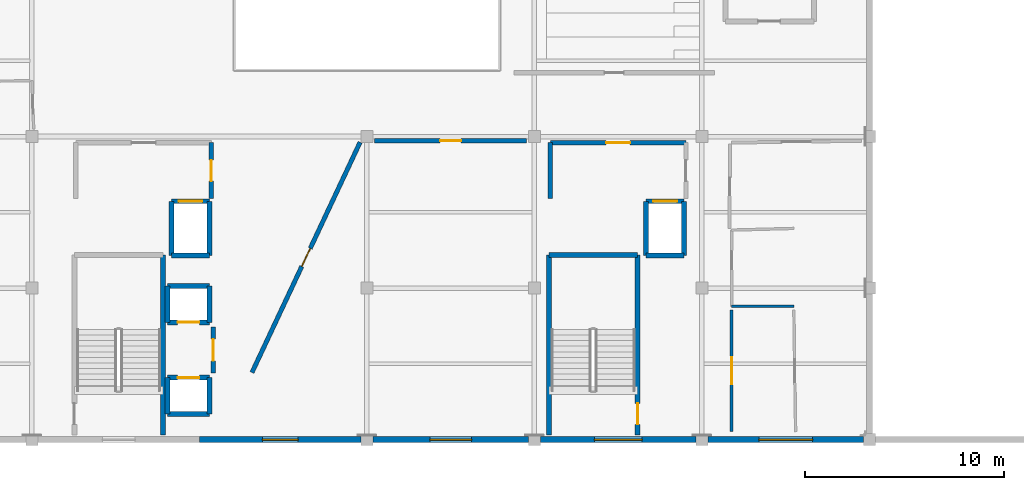
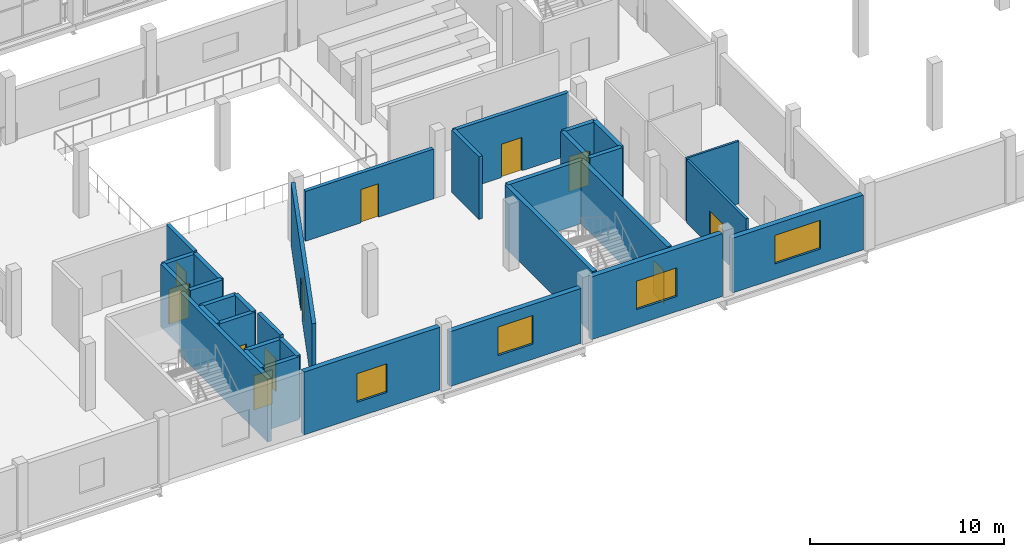
# One storey, part 128 of 151: 32 walls, 11 doors, 4 windows, 15 openings.
"""IFC4 building model written with IfcOpenShell, lengths in metres."""

from ifc_helpers import new_model, si_unit, direction, frame, frame_2d, origin, place, context, subcontext, project, spatial, rectangle, extrude, material, layer, layer_set, type_object, element, fill, save


model = new_model("IFC4")

# Units and contexts
model_context = context("Model", 3, precision=1e-05, world=origin(), true_north=direction((0.0, 1.0)))
body_context = subcontext(model_context, "Body", "Model", "MODEL_VIEW")
ifc_project = project(units=[si_unit("LENGTHUNIT", "METRE"), si_unit("AREAUNIT", "SQUARE_METRE"), si_unit("VOLUMEUNIT", "CUBIC_METRE"), si_unit("PLANEANGLEUNIT", "RADIAN"), si_unit("MASSUNIT", "GRAM", prefix="KILO")], contexts=[model_context])

# Site, building, storey
site_placement = place(None, origin())
site = spatial("IfcSite", under=ifc_project, at=site_placement, CompositionType="ELEMENT")
building_placement = place(site_placement, origin())
building = spatial("IfcBuilding", under=site, at=building_placement, Name="Zuvorla Pavilion Media Centre", CompositionType="ELEMENT")
storey_placement = place(building_placement, frame((0.0, 0.0, 13.800048828125)))
storey = spatial("IfcBuildingStorey", under=building, at=storey_placement, Name="L03", CompositionType="ELEMENT", Elevation=13.800048828125)

# Wall, opening, door
ifc_material_1 = material(Name="Acoustic masonry blockwork C32/40", Category="masonry")
ifc_layer_1 = layer(ifc_material_1, 0.219970703125)
ifc_layer_set_1 = layer_set([ifc_layer_1], Name="Acoustic masonry blockwork C32/40")
wall_type_1 = type_object("IfcWallType", Name="WL-CMP-220", PredefinedType="SOLIDWALL", material=ifc_layer_set_1)
wall_1_placement = place(storey_placement, frame((75.800048828125, 18.10009765625, 0.0), z_axis=(0.0, 0.0, 1.0), x_axis=(0.0, 1.0, 0.0)))
wall_1 = element("IfcWall", 1, at=wall_1_placement, inside=storey, type_object=wall_type_1, Name="L03 solid wall IW22 38", PredefinedType="SOLIDWALL", context=body_context, shape_type="SweptSolid", body=[
    extrude(rectangle(XDim=2.7998046875, YDim=0.219970703125, at=frame_2d((1.39990234375, 0.0))), origin(), (0.0, 0.0, 1.0), 3.949951171875),
])
opening_1_placement = place(wall_1_placement, frame((0.875, 0.0, 0.0)))
opening_1 = element("IfcOpeningElement", 2, at=opening_1_placement, cuts=wall_1, Name="Opening FD04", PredefinedType="OPENING", context=body_context, shape_type="SweptSolid", body=[
    extrude(rectangle(XDim=1.050048828125, YDim=2.10009765625, at=frame_2d((0.52490234375, 1.050048828125))), frame((0.0, 0.119873046875, 0.0), z_axis=(0.0, -1.0, 0.0), x_axis=(1.0, 0.0, 0.0)), (0.0, 0.0, 1.0), 0.239990234375),
])
ifc_material_2 = material(Name="Acoustic timber fire door leaf in steel frame", Category="steel")
door_type_1 = type_object("IfcDoorType", Name="DR-INT-FD04", OperationType="NOTDEFINED", PredefinedType="DOOR", material=ifc_material_2)
door_1_placement = place(opening_1_placement, origin())
door_1 = element("IfcDoor", 3, at=door_1_placement, inside=storey, type_object=door_type_1, Name="Firefighting lobby 1 access door FD04 19", OperationType="SINGLE_SWING_LEFT", OverallHeight=2.10009765625, OverallWidth=1.050048828125, PredefinedType="DOOR", context=body_context, shape_type="SweptSolid", body=[
    extrude(rectangle(XDim=1.050048828125, YDim=2.10009765625, at=frame_2d((0.52490234375, 1.050048828125))), frame((0.0, 0.02490234375, 0.0), z_axis=(0.0, -1.0, 0.0), x_axis=(1.0, 0.0, 0.0)), (0.0, 0.0, 1.0), 0.050048828125),
])
fill(opening_1, door_1)

wall_2_placement = place(storey_placement, frame((75.89990234375, 9.35009765625, 0.0), z_axis=(0.0, 0.0, 1.0), x_axis=(0.0, 1.0, 0.0)))
wall_2 = element("IfcWall", 4, at=wall_2_placement, inside=storey, type_object=wall_type_1, Name="L03 solid wall IW22 39", PredefinedType="SOLIDWALL", context=body_context, shape_type="SweptSolid", body=[
    extrude(rectangle(XDim=2.2998046875, YDim=0.219970703125, at=frame_2d((1.14990234375, 0.0))), origin(), (0.0, 0.0, 1.0), 3.949951171875),
])
opening_2_placement = place(wall_2_placement, frame((0.60009765625, 0.0, 0.0)))
opening_2 = element("IfcOpeningElement", 5, at=opening_2_placement, cuts=wall_2, Name="Opening FD05", PredefinedType="OPENING", context=body_context, shape_type="SweptSolid", body=[
    extrude(rectangle(XDim=1.10009765625, YDim=2.10009765625, at=frame_2d((0.550048828125, 1.050048828125))), frame((0.0, 0.119873046875, 0.0), z_axis=(0.0, -1.0, 0.0), x_axis=(1.0, 0.0, 0.0)), (0.0, 0.0, 1.0), 0.239990234375),
])
door_type_2 = type_object("IfcDoorType", Name="DR-INT-FD05", OperationType="NOTDEFINED", PredefinedType="DOOR", material=ifc_material_2)
door_2_placement = place(opening_2_placement, origin())
door_2 = element("IfcDoor", 6, at=door_2_placement, inside=storey, type_object=door_type_2, Name="Lift lobby 1 door FD05 20", OperationType="SINGLE_SWING_RIGHT", OverallHeight=2.10009765625, OverallWidth=1.10009765625, PredefinedType="DOOR", context=body_context, shape_type="SweptSolid", body=[
    extrude(rectangle(XDim=1.10009765625, YDim=2.10009765625, at=frame_2d((0.550048828125, 1.050048828125))), frame((0.0, 0.02490234375, 0.0), z_axis=(0.0, -1.0, 0.0), x_axis=(1.0, 0.0, 0.0)), (0.0, 0.0, 1.0), 0.050048828125),
])
fill(opening_2, door_2)

wall_3_placement = place(storey_placement, frame((92.800048828125, 20.89990234375, 0.0), z_axis=(0.0, 0.0, 1.0), x_axis=(1.0, 0.0, 0.0)))
wall_3 = element("IfcWall", 7, at=wall_3_placement, inside=storey, type_object=wall_type_1, Name="L03 solid wall IW22 184", PredefinedType="SOLIDWALL", context=body_context, shape_type="SweptSolid", body=[
    extrude(rectangle(XDim=6.800048828125, YDim=0.219970703125, at=frame_2d((3.39990234375, 0.0))), origin(), (0.0, 0.0, 1.0), 3.949951171875),
])
opening_3_placement = place(wall_3_placement, frame((2.800048828125, 0.0, 0.0)))
opening_3 = element("IfcOpeningElement", 8, at=opening_3_placement, cuts=wall_3, Name="Opening FD06", PredefinedType="OPENING", context=body_context, shape_type="SweptSolid", body=[
    extrude(rectangle(XDim=1.199951171875, YDim=2.10009765625, at=frame_2d((0.60009765625, 1.050048828125))), frame((0.0, 0.119873046875, 0.0), z_axis=(0.0, -1.0, 0.0), x_axis=(1.0, 0.0, 0.0)), (0.0, 0.0, 1.0), 0.239990234375),
])
door_type_3 = type_object("IfcDoorType", Name="DR-INT-FD06", OperationType="NOTDEFINED", PredefinedType="DOOR", material=ifc_material_2)
door_3_placement = place(opening_3_placement, origin())
door_3 = element("IfcDoor", 9, at=door_3_placement, inside=storey, type_object=door_type_3, Name="Firefighting lobby 2 door FD06 70", OperationType="SINGLE_SWING_LEFT", OverallHeight=2.10009765625, OverallWidth=1.199951171875, PredefinedType="DOOR", context=body_context, shape_type="SweptSolid", body=[
    extrude(rectangle(XDim=1.199951171875, YDim=2.10009765625, at=frame_2d((0.60009765625, 1.050048828125))), frame((0.0, 0.02490234375, 0.0), z_axis=(0.0, -1.0, 0.0), x_axis=(1.0, 0.0, 0.0)), (0.0, 0.0, 1.0), 0.050048828125),
])
fill(opening_3, door_3)

# Wall
wall_4_placement = place(storey_placement, frame((92.800048828125, 18.10009765625, 0.0), z_axis=(0.0, 0.0, 1.0), x_axis=(0.0, 1.0, 0.0)))
element("IfcWall", 10, at=wall_4_placement, inside=storey, type_object=wall_type_1, Name="L03 solid wall IW22 185", PredefinedType="SOLIDWALL", context=body_context, shape_type="SweptSolid", body=[
    extrude(rectangle(XDim=2.7998046875, YDim=0.219970703125, at=frame_2d((1.39990234375, 0.0))), origin(), (0.0, 0.0, 1.0), 3.949951171875),
])

# Wall, opening, door
wall_5_placement = place(storey_placement, frame((83.256103515625, 20.91748046875, 0.0), z_axis=(0.0, 0.0, 1.0), x_axis=(-0.425065903428, -0.905162404071, 0.0)))
wall_5 = element("IfcWall", 11, at=wall_5_placement, inside=storey, type_object=wall_type_1, Name="L03 solid wall IW22 525", PredefinedType="SOLIDWALL", context=body_context, shape_type="SweptSolid", body=[
    extrude(rectangle(XDim=12.7548828125, YDim=0.219970703125, at=frame_2d((6.37744140625, 0.0))), origin(), (0.0, 0.0, 1.0), 3.949951171875),
])
opening_4_placement = place(wall_5_placement, frame((5.87744140625, 0.0, 0.0)))
opening_4 = element("IfcOpeningElement", 12, at=opening_4_placement, cuts=wall_5, Name="Opening FD03", PredefinedType="OPENING", context=body_context, shape_type="SweptSolid", body=[
    extrude(rectangle(XDim=1.0, YDim=2.10009765625, at=frame_2d((0.5, 1.050048828125))), frame((0.0, 0.119873046875, 0.0), z_axis=(0.0, -1.0, 0.0), x_axis=(1.0, 0.0, 0.0)), (0.0, 0.0, 1.0), 0.239990234375),
])
door_type_4 = type_object("IfcDoorType", Name="DR-INT-FD03", OperationType="NOTDEFINED", PredefinedType="DOOR", material=ifc_material_2)
door_4_placement = place(opening_4_placement, origin())
door_4 = element("IfcDoor", 13, at=door_4_placement, inside=storey, type_object=door_type_4, Name="Interior door FD03 225", OperationType="SINGLE_SWING_RIGHT", OverallHeight=2.10009765625, OverallWidth=1.0, PredefinedType="DOOR", context=body_context, shape_type="SweptSolid", body=[
    extrude(rectangle(XDim=1.0, YDim=2.10009765625, at=frame_2d((0.5, 1.050048828125))), frame((0.0, 0.02490234375, 0.0), z_axis=(0.0, -1.0, 0.0), x_axis=(1.0, 0.0, 0.0)), (0.0, 0.0, 1.0), 0.050048828125),
])
fill(opening_4, door_4)

wall_6_placement = place(storey_placement, frame((91.610107421875, 20.989990234375, 0.0), z_axis=(0.0, 0.0, 1.0), x_axis=(-1.0, 0.0, 0.0)))
wall_6 = element("IfcWall", 14, at=wall_6_placement, inside=storey, type_object=wall_type_1, Name="L03 solid wall IW22 526", PredefinedType="SOLIDWALL", context=body_context, shape_type="SweptSolid", body=[
    extrude(rectangle(XDim=7.6201171875, YDim=0.219970703125, at=frame_2d((3.81005859375, 0.0))), origin(), (0.0, 0.0, 1.0), 3.134765625),
])
opening_5_placement = place(wall_6_placement, frame((3.284912109375, 0.0, 0.0)))
opening_5 = element("IfcOpeningElement", 15, at=opening_5_placement, cuts=wall_6, Name="Opening FD04", PredefinedType="OPENING", context=body_context, shape_type="SweptSolid", body=[
    extrude(rectangle(XDim=1.050048828125, YDim=2.10009765625, at=frame_2d((0.52490234375, 1.050048828125))), frame((0.0, 0.119873046875, 0.0), z_axis=(0.0, -1.0, 0.0), x_axis=(1.0, 0.0, 0.0)), (0.0, 0.0, 1.0), 0.239990234375),
])
door_5_placement = place(opening_5_placement, origin())
door_5 = element("IfcDoor", 16, at=door_5_placement, inside=storey, type_object=door_type_1, Name="Interior door FD04 226", OperationType="SINGLE_SWING_LEFT", OverallHeight=2.10009765625, OverallWidth=1.050048828125, PredefinedType="DOOR", context=body_context, shape_type="SweptSolid", body=[
    extrude(rectangle(XDim=1.050048828125, YDim=2.10009765625, at=frame_2d((0.52490234375, 1.050048828125))), frame((0.0, 0.02490234375, 0.0), z_axis=(0.0, -1.0, 0.0), x_axis=(1.0, 0.0, 0.0)), (0.0, 0.0, 1.0), 0.050048828125),
])
fill(opening_5, door_5)

# Walls
ifc_material_3 = material(Name="Concrete C40/50", Category="concrete")
ifc_layer_2 = layer(ifc_material_3, 0.25)
ifc_layer_set_2 = layer_set([ifc_layer_2], Name="Concrete C40/50")
wall_type_2 = type_object("IfcWallType", Name="WL-COR-250", PredefinedType="SHEAR", material=ifc_layer_set_2)
wall_7_placement = place(storey_placement, frame((73.375, 6.22509765625, 0.0), z_axis=(0.0, 0.0, 1.0), x_axis=(0.0, 1.0, 0.0)))
element("IfcWall", 17, at=wall_7_placement, inside=storey, type_object=wall_type_2, Name="L03 shear wall CW25 34", PredefinedType="SHEAR", context=body_context, shape_type="SweptSolid", body=[
    extrude(rectangle(XDim=9.0498046875, YDim=0.25, at=frame_2d((4.52490234375, 0.0))), origin(), (0.0, 0.0, 1.0), 3.9599609375),
])
wall_8_placement = place(storey_placement, frame((73.590087890625, 7.2900390625, 0.0), z_axis=(0.0, 0.0, 1.0), x_axis=(1.0, 0.0, 0.0)))
element("IfcWall", 18, at=wall_8_placement, inside=storey, type_object=wall_type_2, Name="L03 shear wall CW25 77", PredefinedType="SHEAR", context=body_context, shape_type="SweptSolid", body=[
    extrude(rectangle(XDim=2.119873046875, YDim=0.25, at=frame_2d((1.06005859375, 0.0))), origin(), (0.0, 0.0, 1.0), 3.9599609375),
])

# Wall, opening, door
wall_9_placement = place(storey_placement, frame((73.590087890625, 9.110107421875, 0.0), z_axis=(0.0, 0.0, 1.0), x_axis=(1.0, 0.0, 0.0)))
wall_9 = element("IfcWall", 19, at=wall_9_placement, inside=storey, type_object=wall_type_2, Name="L03 shear wall CW25 78", PredefinedType="SHEAR", context=body_context, shape_type="SweptSolid", body=[
    extrude(rectangle(XDim=2.119873046875, YDim=0.25, at=frame_2d((1.06005859375, 0.0))), origin(), (0.0, 0.0, 1.0), 3.9599609375),
])
opening_6_placement = place(wall_9_placement, frame((0.510009765625, 0.0, 0.0)))
opening_6 = element("IfcOpeningElement", 20, at=opening_6_placement, cuts=wall_9, Name="Opening LD01", PredefinedType="OPENING", context=body_context, shape_type="SweptSolid", body=[
    extrude(rectangle(XDim=1.10009765625, YDim=2.14990234375, at=frame_2d((0.550048828125, 1.074951171875))), frame((0.0, 0.135009765625, 0.0), z_axis=(0.0, -1.0, 0.0), x_axis=(1.0, 0.0, 0.0)), (0.0, 0.0, 1.0), 0.27001953125),
])
ifc_material_4 = material(Name="Brushed stainless steel sliding lift landing door", Category="steel")
door_type_5 = type_object("IfcDoorType", Name="DR-LFT-LD01", OperationType="SLIDING_TO_LEFT", PredefinedType="DOOR", material=ifc_material_4)
door_6_placement = place(opening_6_placement, origin())
door_6 = element("IfcDoor", 21, at=door_6_placement, inside=storey, type_object=door_type_5, Name="Lift LF-01 landing door LD01 37", OperationType="SLIDING_TO_LEFT", OverallHeight=2.14990234375, OverallWidth=1.10009765625, PredefinedType="DOOR", context=body_context, shape_type="SweptSolid", body=[
    extrude(rectangle(XDim=1.10009765625, YDim=2.14990234375, at=frame_2d((0.550048828125, 1.074951171875))), frame((0.0, 0.02490234375, 0.0), z_axis=(0.0, -1.0, 0.0), x_axis=(1.0, 0.0, 0.0)), (0.0, 0.0, 1.0), 0.050048828125),
])
fill(opening_6, door_6)

# Walls
for number, where, z_axis, x_axis, name in (
    (22, (73.590087890625, 7.2900390625, 0.0), (0.0, 0.0, 1.0), (0.0, 1.0, 0.0), "L03 shear wall CW25 79"),
    (23, (75.7099609375, 7.2900390625, 0.0), (0.0, 0.0, 1.0), (0.0, 1.0, 0.0), "L03 shear wall CW25 80"),
):
    element("IfcWall", number, at=place(storey_placement, frame(where, z_axis=z_axis, x_axis=x_axis)), inside=storey, type_object=wall_type_2, Name=name, PredefinedType="SHEAR", context=body_context, shape_type="SweptSolid", body=[
        extrude(rectangle(XDim=1.820068359375, YDim=0.25, at=frame_2d((0.91015625, 0.0))), origin(), (0.0, 0.0, 1.0), 3.9599609375),
    ])

# Wall, opening, door
wall_10_placement = place(storey_placement, frame((73.590087890625, 11.889892578125, 0.0), z_axis=(0.0, 0.0, 1.0), x_axis=(1.0, 0.0, 0.0)))
wall_10 = element("IfcWall", 24, at=wall_10_placement, inside=storey, type_object=wall_type_2, Name="L03 shear wall CW25 109", PredefinedType="SHEAR", context=body_context, shape_type="SweptSolid", body=[
    extrude(rectangle(XDim=2.119873046875, YDim=0.25, at=frame_2d((1.06005859375, 0.0))), origin(), (0.0, 0.0, 1.0), 3.9599609375),
])
opening_7_placement = place(wall_10_placement, frame((0.510009765625, 0.0, 0.0)))
opening_7 = element("IfcOpeningElement", 25, at=opening_7_placement, cuts=wall_10, Name="Opening LD01", PredefinedType="OPENING", context=body_context, shape_type="SweptSolid", body=[
    extrude(rectangle(XDim=1.10009765625, YDim=2.14990234375, at=frame_2d((0.550048828125, 1.074951171875))), frame((0.0, 0.135009765625, 0.0), z_axis=(0.0, -1.0, 0.0), x_axis=(1.0, 0.0, 0.0)), (0.0, 0.0, 1.0), 0.27001953125),
])
door_7_placement = place(opening_7_placement, origin())
door_7 = element("IfcDoor", 26, at=door_7_placement, inside=storey, type_object=door_type_5, Name="Lift LF-02 landing door LD01 45", OperationType="SLIDING_TO_LEFT", OverallHeight=2.14990234375, OverallWidth=1.10009765625, PredefinedType="DOOR", context=body_context, shape_type="SweptSolid", body=[
    extrude(rectangle(XDim=1.10009765625, YDim=2.14990234375, at=frame_2d((0.550048828125, 1.074951171875))), frame((0.0, 0.02490234375, 0.0), z_axis=(0.0, -1.0, 0.0), x_axis=(1.0, 0.0, 0.0)), (0.0, 0.0, 1.0), 0.050048828125),
])
fill(opening_7, door_7)

# Walls
wall_11_placement = place(storey_placement, frame((73.590087890625, 13.7099609375, 0.0), z_axis=(0.0, 0.0, 1.0), x_axis=(1.0, 0.0, 0.0)))
element("IfcWall", 27, at=wall_11_placement, inside=storey, type_object=wall_type_2, Name="L03 shear wall CW25 110", PredefinedType="SHEAR", context=body_context, shape_type="SweptSolid", body=[
    extrude(rectangle(XDim=2.119873046875, YDim=0.25, at=frame_2d((1.06005859375, 0.0))), origin(), (0.0, 0.0, 1.0), 3.9599609375),
])
for number, where, z_axis, x_axis, name in (
    (28, (73.590087890625, 11.889892578125, 0.0), (0.0, 0.0, 1.0), (0.0, 1.0, 0.0), "L03 shear wall CW25 111"),
    (29, (75.7099609375, 11.889892578125, 0.0), (0.0, 0.0, 1.0), (0.0, 1.0, 0.0), "L03 shear wall CW25 112"),
):
    element("IfcWall", number, at=place(storey_placement, frame(where, z_axis=z_axis, x_axis=x_axis)), inside=storey, type_object=wall_type_2, Name=name, PredefinedType="SHEAR", context=body_context, shape_type="SweptSolid", body=[
        extrude(rectangle(XDim=1.820068359375, YDim=0.25, at=frame_2d((0.91015625, 0.0))), origin(), (0.0, 0.0, 1.0), 3.9599609375),
    ])
wall_12_placement = place(storey_placement, frame((73.7900390625, 15.239990234375, 0.0), z_axis=(0.0, 0.0, 1.0), x_axis=(1.0, 0.0, 0.0)))
element("IfcWall", 30, at=wall_12_placement, inside=storey, type_object=wall_type_2, Name="L03 shear wall CW25 141", PredefinedType="SHEAR", context=body_context, shape_type="SweptSolid", body=[
    extrude(rectangle(XDim=1.919921875, YDim=0.25, at=frame_2d((0.9599609375, 0.0))), origin(), (0.0, 0.0, 1.0), 3.9599609375),
])

# Wall, opening, door
wall_13_placement = place(storey_placement, frame((73.7900390625, 17.9599609375, 0.0), z_axis=(0.0, 0.0, 1.0), x_axis=(1.0, 0.0, 0.0)))
wall_13 = element("IfcWall", 31, at=wall_13_placement, inside=storey, type_object=wall_type_2, Name="L03 shear wall CW25 142", PredefinedType="SHEAR", context=body_context, shape_type="SweptSolid", body=[
    extrude(rectangle(XDim=1.919921875, YDim=0.25, at=frame_2d((0.9599609375, 0.0))), origin(), (0.0, 0.0, 1.0), 3.9599609375),
])
opening_8_placement = place(wall_13_placement, frame((0.360107421875, 0.0, 0.0)))
opening_8 = element("IfcOpeningElement", 32, at=opening_8_placement, cuts=wall_13, Name="Opening LD02", PredefinedType="OPENING", context=body_context, shape_type="SweptSolid", body=[
    extrude(rectangle(XDim=1.199951171875, YDim=2.199951171875, at=frame_2d((0.60009765625, 1.10009765625))), frame((0.0, 0.135009765625, 0.0), z_axis=(0.0, -1.0, 0.0), x_axis=(1.0, 0.0, 0.0)), (0.0, 0.0, 1.0), 0.27001953125),
])
door_type_6 = type_object("IfcDoorType", Name="DR-LFT-LD02", OperationType="SLIDING_TO_LEFT", PredefinedType="DOOR", material=ifc_material_4)
door_8_placement = place(opening_8_placement, origin())
door_8 = element("IfcDoor", 33, at=door_8_placement, inside=storey, type_object=door_type_6, Name="Lift LF-03 landing door LD02 53", OperationType="SLIDING_TO_LEFT", OverallHeight=2.199951171875, OverallWidth=1.199951171875, PredefinedType="DOOR", context=body_context, shape_type="SweptSolid", body=[
    extrude(rectangle(XDim=1.199951171875, YDim=2.199951171875, at=frame_2d((0.60009765625, 1.10009765625))), frame((0.0, 0.02490234375, 0.0), z_axis=(0.0, -1.0, 0.0), x_axis=(1.0, 0.0, 0.0)), (0.0, 0.0, 1.0), 0.050048828125),
])
fill(opening_8, door_8)

# Walls
for number, where, z_axis, x_axis, name in (
    (34, (73.7900390625, 15.239990234375, 0.0), (0.0, 0.0, 1.0), (0.0, 1.0, 0.0), "L03 shear wall CW25 143"),
    (35, (75.7099609375, 15.239990234375, 0.0), (0.0, 0.0, 1.0), (0.0, 1.0, 0.0), "L03 shear wall CW25 144"),
):
    element("IfcWall", number, at=place(storey_placement, frame(where, z_axis=z_axis, x_axis=x_axis)), inside=storey, type_object=wall_type_2, Name=name, PredefinedType="SHEAR", context=body_context, shape_type="SweptSolid", body=[
        extrude(rectangle(XDim=2.719970703125, YDim=0.25, at=frame_2d((1.35986328125, 0.0))), origin(), (0.0, 0.0, 1.0), 3.9599609375),
    ])
wall_14_placement = place(storey_placement, frame((92.72509765625, 6.22509765625, 0.0), z_axis=(0.0, 0.0, 1.0), x_axis=(0.0, 1.0, 0.0)))
element("IfcWall", 36, at=wall_14_placement, inside=storey, type_object=wall_type_2, Name="L03 shear wall CW25 181", PredefinedType="SHEAR", context=body_context, shape_type="SweptSolid", body=[
    extrude(rectangle(XDim=9.0498046875, YDim=0.25, at=frame_2d((4.52490234375, 0.0))), origin(), (0.0, 0.0, 1.0), 3.9599609375),
])

# Wall, opening, door
wall_15_placement = place(storey_placement, frame((97.175048828125, 6.22509765625, 0.0), z_axis=(0.0, 0.0, 1.0), x_axis=(0.0, 1.0, 0.0)))
wall_15 = element("IfcWall", 37, at=wall_15_placement, inside=storey, type_object=wall_type_2, Name="L03 shear wall CW25 182", PredefinedType="SHEAR", context=body_context, shape_type="SweptSolid", body=[
    extrude(rectangle(XDim=9.0498046875, YDim=0.25, at=frame_2d((4.52490234375, 0.0))), origin(), (0.0, 0.0, 1.0), 3.9599609375),
])
opening_9_placement = place(wall_15_placement, frame((0.550048828125, 0.0, 0.0)))
opening_9 = element("IfcOpeningElement", 38, at=opening_9_placement, cuts=wall_15, Name="Opening FD04", PredefinedType="OPENING", context=body_context, shape_type="SweptSolid", body=[
    extrude(rectangle(XDim=1.050048828125, YDim=2.10009765625, at=frame_2d((0.52490234375, 1.050048828125))), frame((0.0, 0.135009765625, 0.0), z_axis=(0.0, -1.0, 0.0), x_axis=(1.0, 0.0, 0.0)), (0.0, 0.0, 1.0), 0.27001953125),
])
door_9_placement = place(opening_9_placement, frame((1.050048828125, 0.0, 0.0), z_axis=(0.0, 0.0, 1.0), x_axis=(-1.0, 0.0, 0.0)))
door_9 = element("IfcDoor", 39, at=door_9_placement, inside=storey, type_object=door_type_1, Name="Stair ST-02 fire door FD04 69", OperationType="SINGLE_SWING_LEFT", OverallHeight=2.10009765625, OverallWidth=1.050048828125, PredefinedType="DOOR", context=body_context, shape_type="SweptSolid", body=[
    extrude(rectangle(XDim=1.050048828125, YDim=2.10009765625, at=frame_2d((0.52490234375, 1.050048828125))), frame((0.0, 0.02490234375, 0.0), z_axis=(0.0, -1.0, 0.0), x_axis=(1.0, 0.0, 0.0)), (0.0, 0.0, 1.0), 0.050048828125),
])
fill(opening_9, door_9)

# Walls
wall_16_placement = place(storey_placement, frame((92.72509765625, 15.27490234375, 0.0), z_axis=(0.0, 0.0, 1.0), x_axis=(1.0, 0.0, 0.0)))
element("IfcWall", 40, at=wall_16_placement, inside=storey, type_object=wall_type_2, Name="L03 shear wall CW25 183", PredefinedType="SHEAR", context=body_context, shape_type="SweptSolid", body=[
    extrude(rectangle(XDim=4.449951171875, YDim=0.25, at=frame_2d((2.22509765625, 0.0))), origin(), (0.0, 0.0, 1.0), 3.9599609375),
])
wall_17_placement = place(storey_placement, frame((97.590087890625, 15.239990234375, 0.0), z_axis=(0.0, 0.0, 1.0), x_axis=(1.0, 0.0, 0.0)))
element("IfcWall", 41, at=wall_17_placement, inside=storey, type_object=wall_type_2, Name="L03 shear wall CW25 221", PredefinedType="SHEAR", context=body_context, shape_type="SweptSolid", body=[
    extrude(rectangle(XDim=1.919921875, YDim=0.25, at=frame_2d((0.9599609375, 0.0))), origin(), (0.0, 0.0, 1.0), 3.9599609375),
])

# Wall, opening, door
wall_18_placement = place(storey_placement, frame((97.590087890625, 17.9599609375, 0.0), z_axis=(0.0, 0.0, 1.0), x_axis=(1.0, 0.0, 0.0)))
wall_18 = element("IfcWall", 42, at=wall_18_placement, inside=storey, type_object=wall_type_2, Name="L03 shear wall CW25 222", PredefinedType="SHEAR", context=body_context, shape_type="SweptSolid", body=[
    extrude(rectangle(XDim=1.919921875, YDim=0.25, at=frame_2d((0.9599609375, 0.0))), origin(), (0.0, 0.0, 1.0), 3.9599609375),
])
opening_10_placement = place(wall_18_placement, frame((0.360107421875, 0.0, 0.0)))
opening_10 = element("IfcOpeningElement", 43, at=opening_10_placement, cuts=wall_18, Name="Opening LD02", PredefinedType="OPENING", context=body_context, shape_type="SweptSolid", body=[
    extrude(rectangle(XDim=1.199951171875, YDim=2.199951171875, at=frame_2d((0.60009765625, 1.10009765625))), frame((0.0, 0.135009765625, 0.0), z_axis=(0.0, -1.0, 0.0), x_axis=(1.0, 0.0, 0.0)), (0.0, 0.0, 1.0), 0.27001953125),
])
door_10_placement = place(opening_10_placement, origin())
door_10 = element("IfcDoor", 44, at=door_10_placement, inside=storey, type_object=door_type_6, Name="Lift LF-04 landing door LD02 85", OperationType="SLIDING_TO_LEFT", OverallHeight=2.199951171875, OverallWidth=1.199951171875, PredefinedType="DOOR", context=body_context, shape_type="SweptSolid", body=[
    extrude(rectangle(XDim=1.199951171875, YDim=2.199951171875, at=frame_2d((0.60009765625, 1.10009765625))), frame((0.0, 0.02490234375, 0.0), z_axis=(0.0, -1.0, 0.0), x_axis=(1.0, 0.0, 0.0)), (0.0, 0.0, 1.0), 0.050048828125),
])
fill(opening_10, door_10)

# Walls
for number, where, z_axis, x_axis, name in (
    (45, (97.590087890625, 15.239990234375, 0.0), (0.0, 0.0, 1.0), (0.0, 1.0, 0.0), "L03 shear wall CW25 223"),
    (46, (99.510009765625, 15.239990234375, 0.0), (0.0, 0.0, 1.0), (0.0, 1.0, 0.0), "L03 shear wall CW25 224"),
):
    element("IfcWall", number, at=place(storey_placement, frame(where, z_axis=z_axis, x_axis=x_axis)), inside=storey, type_object=wall_type_2, Name=name, PredefinedType="SHEAR", context=body_context, shape_type="SweptSolid", body=[
        extrude(rectangle(XDim=2.719970703125, YDim=0.25, at=frame_2d((1.35986328125, 0.0))), origin(), (0.0, 0.0, 1.0), 3.9599609375),
    ])

# Wall, opening, window
ifc_material_5 = material(Name="White rendered concrete C32/40", Category="concrete")
ifc_layer_3 = layer(ifc_material_5, 0.300048828125)
ifc_layer_set_3 = layer_set([ifc_layer_3], Name="White rendered concrete C32/40")
wall_type_3 = type_object("IfcWallType", Name="WL-EXT-300", PredefinedType="SOLIDWALL", material=ifc_layer_set_3)
wall_19_placement = place(storey_placement, frame((75.199951171875, 6.0, 0.0), z_axis=(0.0, 0.0, 1.0), x_axis=(1.0, 0.0, 0.0)))
wall_19 = element("IfcWall", 47, at=wall_19_placement, inside=storey, type_object=wall_type_3, Name="L03 exterior solid wall EW03 246", PredefinedType="SOLIDWALL", context=body_context, shape_type="SweptSolid", body=[
    extrude(rectangle(XDim=8.10009765625, YDim=0.300048828125, at=frame_2d((4.050048828125, 0.0))), origin(), (0.0, 0.0, 1.0), 3.949951171875),
])
opening_11_placement = place(wall_19_placement, frame((3.14990234375, 0.0, 0.949951171875)))
opening_11 = element("IfcOpeningElement", 48, at=opening_11_placement, cuts=wall_19, Name="Opening WN12", PredefinedType="OPENING", context=body_context, shape_type="SweptSolid", body=[
    extrude(rectangle(XDim=1.800048828125, YDim=1.800048828125, at=frame_2d((0.89990234375, 0.89990234375))), frame((0.0, 0.159912109375, 0.0), z_axis=(0.0, -1.0, 0.0), x_axis=(1.0, 0.0, 0.0)), (0.0, 0.0, 1.0), 0.320068359375),
])
ifc_material_6 = material(Name="Anodised aluminium frame with solar double glazing", Category="aluminium")
window_type_1 = type_object("IfcWindowType", Name="WIN-WN12", PartitioningType="DOUBLE_PANEL_VERTICAL", PredefinedType="WINDOW", material=ifc_material_6)
window_1_placement = place(opening_11_placement, origin())
window_1 = element("IfcWindow", 49, at=window_1_placement, inside=storey, type_object=window_type_1, Name="L03 window WN12 96", OverallHeight=1.800048828125, OverallWidth=1.800048828125, PartitioningType="DOUBLE_PANEL_VERTICAL", PredefinedType="WINDOW", context=body_context, shape_type="SweptSolid", body=[
    extrude(rectangle(XDim=1.800048828125, YDim=1.800048828125, at=frame_2d((0.89990234375, 0.89990234375))), frame((0.0, 0.030029296875, 0.0), z_axis=(0.0, -1.0, 0.0), x_axis=(1.0, 0.0, 0.0)), (0.0, 0.0, 1.0), 0.06005859375),
])
fill(opening_11, window_1)

wall_20_placement = place(storey_placement, frame((83.89990234375, 6.0, 0.0), z_axis=(0.0, 0.0, 1.0), x_axis=(1.0, 0.0, 0.0)))
wall_20 = element("IfcWall", 50, at=wall_20_placement, inside=storey, type_object=wall_type_3, Name="L03 exterior solid wall EW03 247", PredefinedType="SOLIDWALL", context=body_context, shape_type="SweptSolid", body=[
    extrude(rectangle(XDim=7.800048828125, YDim=0.300048828125, at=frame_2d((3.89990234375, 0.0))), origin(), (0.0, 0.0, 1.0), 3.447021484375),
])
opening_12_placement = place(wall_20_placement, frame((2.85009765625, 0.0, 0.949951171875)))
opening_12 = element("IfcOpeningElement", 51, at=opening_12_placement, cuts=wall_20, Name="Opening WN13", PredefinedType="OPENING", context=body_context, shape_type="SweptSolid", body=[
    extrude(rectangle(XDim=2.10009765625, YDim=1.800048828125, at=frame_2d((1.050048828125, 0.89990234375))), frame((0.0, 0.159912109375, 0.0), z_axis=(0.0, -1.0, 0.0), x_axis=(1.0, 0.0, 0.0)), (0.0, 0.0, 1.0), 0.320068359375),
])
window_type_2 = type_object("IfcWindowType", Name="WIN-WN13", PartitioningType="DOUBLE_PANEL_VERTICAL", PredefinedType="WINDOW", material=ifc_material_6)
window_2_placement = place(opening_12_placement, origin())
window_2 = element("IfcWindow", 52, at=window_2_placement, inside=storey, type_object=window_type_2, Name="L03 window WN13 97", OverallHeight=1.800048828125, OverallWidth=2.10009765625, PartitioningType="DOUBLE_PANEL_VERTICAL", PredefinedType="WINDOW", context=body_context, shape_type="SweptSolid", body=[
    extrude(rectangle(XDim=2.10009765625, YDim=1.800048828125, at=frame_2d((1.050048828125, 0.89990234375))), frame((0.0, 0.030029296875, 0.0), z_axis=(0.0, -1.0, 0.0), x_axis=(1.0, 0.0, 0.0)), (0.0, 0.0, 1.0), 0.06005859375),
])
fill(opening_12, window_2)

wall_21_placement = place(storey_placement, frame((92.300048828125, 6.0, 0.0), z_axis=(0.0, 0.0, 1.0), x_axis=(1.0, 0.0, 0.0)))
wall_21 = element("IfcWall", 53, at=wall_21_placement, inside=storey, type_object=wall_type_3, Name="L03 exterior solid wall EW03 248", PredefinedType="SOLIDWALL", context=body_context, shape_type="SweptSolid", body=[
    extrude(rectangle(XDim=7.800048828125, YDim=0.300048828125, at=frame_2d((3.89990234375, 0.0))), origin(), (0.0, 0.0, 1.0), 3.949951171875),
])
opening_13_placement = place(wall_21_placement, frame((2.699951171875, 0.0, 0.949951171875)))
opening_13 = element("IfcOpeningElement", 54, at=opening_13_placement, cuts=wall_21, Name="Opening WN14", PredefinedType="OPENING", context=body_context, shape_type="SweptSolid", body=[
    extrude(rectangle(XDim=2.39990234375, YDim=1.800048828125, at=frame_2d((1.199951171875, 0.89990234375))), frame((0.0, 0.159912109375, 0.0), z_axis=(0.0, -1.0, 0.0), x_axis=(1.0, 0.0, 0.0)), (0.0, 0.0, 1.0), 0.320068359375),
])
window_type_3 = type_object("IfcWindowType", Name="WIN-WN14", PartitioningType="DOUBLE_PANEL_VERTICAL", PredefinedType="WINDOW", material=ifc_material_6)
window_3_placement = place(opening_13_placement, origin())
window_3 = element("IfcWindow", 55, at=window_3_placement, inside=storey, type_object=window_type_3, Name="L03 window WN14 98", OverallHeight=1.800048828125, OverallWidth=2.39990234375, PartitioningType="DOUBLE_PANEL_VERTICAL", PredefinedType="WINDOW", context=body_context, shape_type="SweptSolid", body=[
    extrude(rectangle(XDim=2.39990234375, YDim=1.800048828125, at=frame_2d((1.199951171875, 0.89990234375))), frame((0.0, 0.030029296875, 0.0), z_axis=(0.0, -1.0, 0.0), x_axis=(1.0, 0.0, 0.0)), (0.0, 0.0, 1.0), 0.06005859375),
])
fill(opening_13, window_3)

wall_22_placement = place(storey_placement, frame((100.699951171875, 6.0, 0.0), z_axis=(0.0, 0.0, 1.0), x_axis=(1.0, 0.0, 0.0)))
wall_22 = element("IfcWall", 56, at=wall_22_placement, inside=storey, type_object=wall_type_3, Name="L03 exterior solid wall EW03 249", PredefinedType="SOLIDWALL", context=body_context, shape_type="SweptSolid", body=[
    extrude(rectangle(XDim=7.800048828125, YDim=0.300048828125, at=frame_2d((3.89990234375, 0.0))), origin(), (0.0, 0.0, 1.0), 3.447021484375),
])
opening_14_placement = place(wall_22_placement, frame((2.550048828125, 0.0, 0.949951171875)))
opening_14 = element("IfcOpeningElement", 57, at=opening_14_placement, cuts=wall_22, Name="Opening WN15", PredefinedType="OPENING", context=body_context, shape_type="SweptSolid", body=[
    extrude(rectangle(XDim=2.699951171875, YDim=1.800048828125, at=frame_2d((1.35009765625, 0.89990234375))), frame((0.0, 0.159912109375, 0.0), z_axis=(0.0, -1.0, 0.0), x_axis=(1.0, 0.0, 0.0)), (0.0, 0.0, 1.0), 0.320068359375),
])
window_type_4 = type_object("IfcWindowType", Name="WIN-WN15", PartitioningType="DOUBLE_PANEL_VERTICAL", PredefinedType="WINDOW", material=ifc_material_6)
window_4_placement = place(opening_14_placement, origin())
window_4 = element("IfcWindow", 58, at=window_4_placement, inside=storey, type_object=window_type_4, Name="L03 window WN15 99", OverallHeight=1.800048828125, OverallWidth=2.699951171875, PartitioningType="DOUBLE_PANEL_VERTICAL", PredefinedType="WINDOW", context=body_context, shape_type="SweptSolid", body=[
    extrude(rectangle(XDim=2.699951171875, YDim=1.800048828125, at=frame_2d((1.35009765625, 0.89990234375))), frame((0.0, 0.030029296875, 0.0), z_axis=(0.0, -1.0, 0.0), x_axis=(1.0, 0.0, 0.0)), (0.0, 0.0, 1.0), 0.06005859375),
])
fill(opening_14, window_4)

# Wall
ifc_material_7 = material(Name="Lightweight gypsum partition")
ifc_layer_4 = layer(ifc_material_7, 0.1201171875)
ifc_layer_set_4 = layer_set([ifc_layer_4], Name="Lightweight gypsum partition")
wall_type_4 = type_object("IfcWallType", Name="WL-PRT-120", PredefinedType="PARTITIONING", material=ifc_layer_set_4)
wall_23_placement = place(storey_placement, frame((105.02001953125, 12.68994140625, 0.0), z_axis=(0.0, 0.0, 1.0), x_axis=(-1.0, 0.0, 0.0)))
element("IfcWall", 59, at=wall_23_placement, inside=storey, type_object=wall_type_4, Name="L03 partition PT12 538", PredefinedType="PARTITIONING", context=body_context, shape_type="SweptSolid", body=[
    extrude(rectangle(XDim=3.14013671875, YDim=0.1201171875, at=frame_2d((1.570068359375, 0.0))), origin(), (0.0, 0.0, 1.0), 3.949951171875),
])

# Wall, opening, door
ifc_material_8 = material(Name="Acoustic gypsum stud partition")
ifc_layer_5 = layer(ifc_material_8, 0.14990234375)
ifc_layer_set_5 = layer_set([ifc_layer_5], Name="Acoustic gypsum stud partition")
wall_type_5 = type_object("IfcWallType", Name="WL-PRT-150", PredefinedType="PARTITIONING", material=ifc_layer_set_5)
wall_24_placement = place(storey_placement, frame((101.889892578125, 6.39990234375, 0.0), z_axis=(0.0, 0.0, 1.0), x_axis=(0.000239741073, 0.999999971262, 0.0)))
wall_24 = element("IfcWall", 60, at=wall_24_placement, inside=storey, type_object=wall_type_5, Name="L03 partition PT15 520", PredefinedType="PARTITIONING", context=body_context, shape_type="SweptSolid", body=[
    extrude(rectangle(XDim=6.110107421875, YDim=0.14990234375, at=frame_2d((3.05517578125, 0.0))), origin(), (0.0, 0.0, 1.0), 3.949951171875),
])
opening_15_placement = place(wall_24_placement, frame((2.3798828125, 0.0, 0.0)))
opening_15 = element("IfcOpeningElement", 61, at=opening_15_placement, cuts=wall_24, Name="Opening ID08", PredefinedType="OPENING", context=body_context, shape_type="SweptSolid", body=[
    extrude(rectangle(XDim=1.35009765625, YDim=2.179931640625, at=frame_2d((0.675048828125, 1.08984375))), frame((0.0, 0.0849609375, 0.0), z_axis=(0.0, -1.0, 0.0), x_axis=(1.0, 0.0, 0.0)), (0.0, 0.0, 1.0), 0.169921875),
])
ifc_material_9 = material(Name="Hardwood acoustic studio door in anodised frame", Category="wood")
door_type_7 = type_object("IfcDoorType", Name="DR-UNR-ID08", OperationType="NOTDEFINED", PredefinedType="DOOR", material=ifc_material_9)
door_11_placement = place(opening_15_placement, origin())
door_11 = element("IfcDoor", 62, at=door_11_placement, inside=storey, type_object=door_type_7, Name="Interior door ID08 220", OperationType="DOUBLE_DOOR_SINGLE_SWING", OverallHeight=2.179931640625, OverallWidth=1.35009765625, PredefinedType="DOOR", context=body_context, shape_type="SweptSolid", body=[
    extrude(rectangle(XDim=1.35009765625, YDim=2.179931640625, at=frame_2d((0.675048828125, 1.08984375))), frame((0.0, 0.02490234375, 0.0), z_axis=(0.0, -1.0, 0.0), x_axis=(1.0, 0.0, 0.0)), (0.0, 0.0, 1.0), 0.050048828125),
])
fill(opening_15, door_11)

save(model, "model.ifc")
